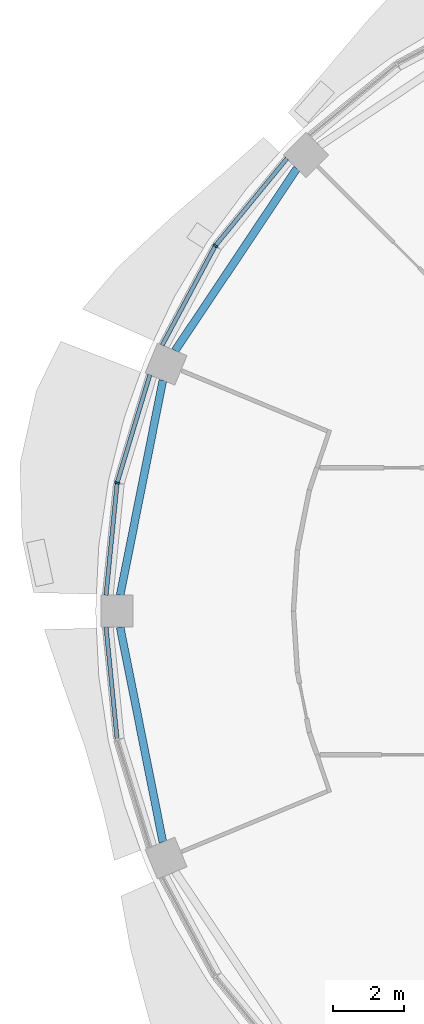
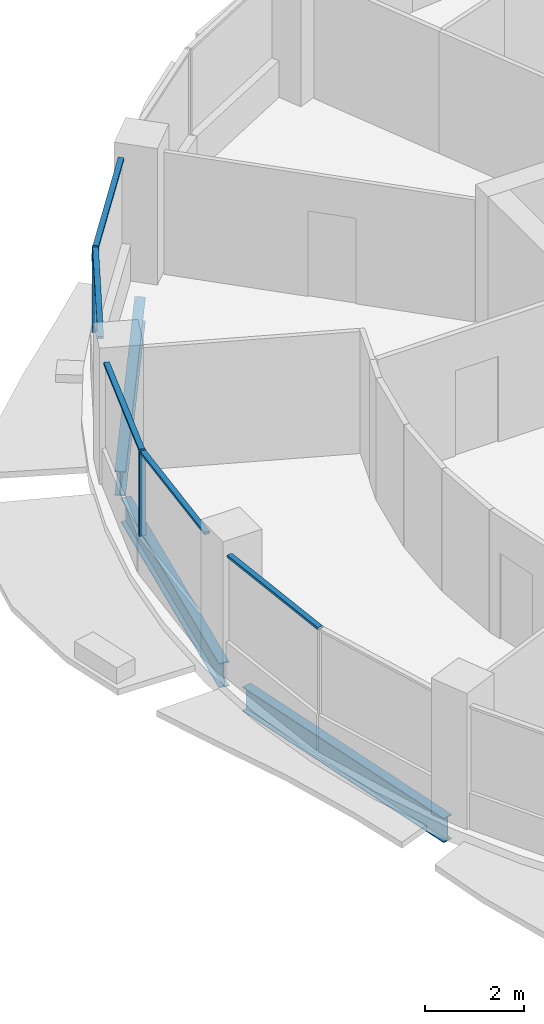
# One storey, part 4 of 15: 7 members, 3 beams, 3 elements without a shape of their own.
"""IFC4 building model written with IfcOpenShell, lengths in metres."""

import ifcopenshell
import ifcopenshell.guid

model = None  # the IFC model being written
_history = None  # IfcOwnerHistory: only IFC2X3 demands one
_inside = {}  # id of a spatial element -> (the spatial element, [elements in it])
_under = {}  # id of a project, library or spatial element -> (it, [spatial elements below it])
_declared = {}  # id of a project -> (the project, [libraries it declares])
_typed = {}  # id of a type object -> (the type object, [elements of that type])
_made_of = {}  # id of a material, layer set ... -> (it, [elements and type objects made of it])


def new_model(schema):
    """Start an empty IFC model of exactly this schema.

    Asked for "IFC4X3", IfcOpenShell would pick the latest addendum, in which some entities
    have other attributes; the version numbers below select the first issue.
    IFC2X3 requires an IfcOwnerHistory on every rooted entity: one is made here for all.
    """
    global model, _history
    if schema == "IFC4X3":
        model = ifcopenshell.file(schema_version=(4, 3, 0, 0))
    else:
        model = ifcopenshell.file(schema=schema)
    _inside.clear()
    _under.clear()
    _declared.clear()
    _typed.clear()
    _made_of.clear()
    _history = None
    if model.schema == "IFC2X3":
        org = make("IfcOrganization", Name="unknown")
        user = make(
            "IfcPersonAndOrganization",
            ThePerson=make("IfcPerson", FamilyName="unknown"),
            TheOrganization=org,
        )
        app = make(
            "IfcApplication",
            ApplicationDeveloper=org,
            Version="unknown",
            ApplicationFullName="unknown",
            ApplicationIdentifier="unknown",
        )
        _history = make(
            "IfcOwnerHistory",
            OwningUser=user,
            OwningApplication=app,
            ChangeAction="ADDED",
            CreationDate=0,
        )
    return model


def make(cls, **values):
    """One entity of the class cls with the attributes given. An attribute that is None is left unset."""
    return model.create_entity(
        cls, **{name: value for name, value in values.items() if value is not None}
    )


def rooted(cls, **values):
    """An entity with a GlobalId (a new one), such as an element, a storey or a relation."""
    return make(cls, GlobalId=ifcopenshell.guid.new(), OwnerHistory=_history, **values)


def si_unit(unit_type, name, prefix=None):
    """IfcSIUnit, for example si_unit("LENGTHUNIT", "METRE", prefix="MILLI")."""
    return make("IfcSIUnit", UnitType=unit_type, Prefix=prefix, Name=name)


def assignment(units):
    """IfcUnitAssignment: the units of a project."""
    return None if units is None else make("IfcUnitAssignment", Units=units)


def point(xyz):
    """IfcCartesianPoint."""
    return None if xyz is None else make("IfcCartesianPoint", Coordinates=xyz)


def direction(xyz):
    """IfcDirection."""
    return None if xyz is None else make("IfcDirection", DirectionRatios=xyz)


def frame(location, z_axis=None, x_axis=None):
    """IfcAxis2Placement3D, a coordinate frame: its origin and axes. An axis left out is left unset."""
    return make(
        "IfcAxis2Placement3D",
        Location=point(location),
        Axis=direction(z_axis),
        RefDirection=direction(x_axis),
    )


def frame_2d(location, x_axis=None):
    """IfcAxis2Placement2D, a coordinate frame in the plane: its origin and x axis."""
    return make(
        "IfcAxis2Placement2D", Location=point(location), RefDirection=direction(x_axis)
    )


def origin():
    """The frame at (0, 0, 0) with its axes left unset."""
    return frame((0.0, 0.0, 0.0))


def origin_2d():
    """The frame at (0, 0) in the plane with its x axis left unset."""
    return frame_2d((0.0, 0.0))


def place(relative_to, where):
    """IfcLocalPlacement: puts the frame where relative to a parent placement (None: the world)."""
    return make(
        "IfcLocalPlacement", PlacementRelTo=relative_to, RelativePlacement=where
    )


def context(
    kind, dimensions, precision=None, world=None, true_north=None, identifier=None
):
    """IfcGeometricRepresentationContext, for example the 3D "Model" context."""
    return make(
        "IfcGeometricRepresentationContext",
        ContextIdentifier=identifier,
        ContextType=kind,
        CoordinateSpaceDimension=dimensions,
        Precision=precision,
        WorldCoordinateSystem=world,
        TrueNorth=true_north,
    )


def subcontext(parent, identifier, kind, view, scale=None):
    """IfcGeometricRepresentationSubContext, for example "Body" below "Model"."""
    return make(
        "IfcGeometricRepresentationSubContext",
        ContextIdentifier=identifier,
        ContextType=kind,
        ParentContext=parent,
        TargetScale=scale,
        TargetView=view,
    )


def project(units=None, contexts=None):
    """IfcProject with its units and contexts."""
    return rooted(
        "IfcProject",
        Name="project",
        RepresentationContexts=contexts,
        UnitsInContext=assignment(units),
    )


def spatial(cls, under=None, at=None, **own):
    """A site, building, storey or space (cls), placed at a placement, below another one or the project."""
    s = rooted(cls, ObjectPlacement=at, **own)
    if under is not None:
        _under.setdefault(under.id(), (under, []))[1].append(s)
    return s


def profile(cls, at=None, kind="AREA", **sizes):
    """A parametric profile (cls). Its sizes go by their IFC names, for example OverallWidth=200.0."""
    return make(cls, ProfileType=kind, Position=at, **sizes)


def rectangle(**sizes):
    """IfcRectangleProfileDef."""
    return profile("IfcRectangleProfileDef", **sizes)


def i_section(**sizes):
    """IfcIShapeProfileDef."""
    return profile("IfcIShapeProfileDef", **sizes)


def extrude(swept, where, along, depth):
    """IfcExtrudedAreaSolid: the profile swept, set in the frame where, extruded along a direction by depth."""
    return make(
        "IfcExtrudedAreaSolid",
        SweptArea=swept,
        Position=where,
        ExtrudedDirection=direction(along),
        Depth=depth,
    )


def shape(context_of_items, identifier, shape_type, items):
    """IfcShapeRepresentation: the items that make up one representation, for example the "Body"."""
    return make(
        "IfcShapeRepresentation",
        ContextOfItems=context_of_items,
        RepresentationIdentifier=identifier,
        RepresentationType=shape_type,
        Items=items,
    )


def material(Name=None, Category=None):
    """IfcMaterial."""
    return make("IfcMaterial", Name=Name, Category=Category)


def material_profile(
    of_material, cross_section, Name=None, Category=None, Priority=None
):
    """IfcMaterialProfile: a cross section and its material."""
    return make(
        "IfcMaterialProfile",
        Name=Name,
        Material=of_material,
        Profile=cross_section,
        Priority=Priority,
        Category=Category,
    )


def profile_set(profiles, Name=None, composite=None):
    """IfcMaterialProfileSet."""
    return make(
        "IfcMaterialProfileSet",
        Name=Name,
        MaterialProfiles=profiles,
        CompositeProfile=composite,
    )


def made_of(thing, what):
    """Note that an element or type object is made of a material, layer set ...; save() writes the relation."""
    if what is not None:
        _made_of.setdefault(what.id(), (what, []))[1].append(thing)
    return thing


def type_object(cls, material=None, **own):
    """A type object (cls), such as IfcWallType, which elements share."""
    return made_of(rooted(cls, **own), material)


def element(
    cls,
    number,
    at=None,
    inside=None,
    cuts=None,
    type_object=None,
    material=None,
    context=None,
    identifier="Body",
    shape_type=None,
    held_by="IfcProductDefinitionShape",
    body=None,
    shapes=None,
    **own,
):
    """One element of the class cls, such as IfcWall. Its Tag is "e" and its number.

    at: its placement. inside: the storey or other place that contains it. cuts: it is an
    opening in that element (IfcRelVoidsElement). A single representation is given by context,
    identifier, shape_type and body (its items); several are given by shapes. held_by: the class
    of the entity that holds the representations. save() writes the other relations.
    """
    e = rooted(cls, Tag="e%d" % number, ObjectPlacement=at, **own)
    if body is not None:
        shapes = [shape(context, identifier, shape_type, body)]
    if shapes is not None:
        e.Representation = make(held_by, Representations=shapes)
    if inside is not None:
        _inside.setdefault(inside.id(), (inside, []))[1].append(e)
    if cuts is not None:
        rooted(
            "IfcRelVoidsElement", RelatingBuildingElement=cuts, RelatedOpeningElement=e
        )
    if type_object is not None:
        _typed.setdefault(type_object.id(), (type_object, []))[1].append(e)
    return made_of(e, material)


def aggregate(whole, parts):
    """IfcRelAggregates: a whole, such as a stair, and the parts it consists of."""
    return rooted("IfcRelAggregates", RelatingObject=whole, RelatedObjects=parts)


def save(model, path):
    """Write the relations noted so far, then the file.

    IfcRelAggregates (storeys below a building ...), IfcRelContainedInSpatialStructure (elements
    in a storey), IfcRelDefinesByType, IfcRelAssociatesMaterial and IfcRelDeclares: one each for
    every whole, place, type object, material and project.
    """
    for whole, parts in _under.values():
        aggregate(whole, parts)
    for where, things in _inside.values():
        rooted(
            "IfcRelContainedInSpatialStructure",
            RelatedElements=things,
            RelatingStructure=where,
        )
    for kind, things in _typed.values():
        rooted("IfcRelDefinesByType", RelatedObjects=things, RelatingType=kind)
    for what, things in _made_of.values():
        rooted("IfcRelAssociatesMaterial", RelatedObjects=things, RelatingMaterial=what)
    for by, libraries in _declared.values():
        rooted("IfcRelDeclares", RelatingContext=by, RelatedDefinitions=libraries)
    model.write(path)


model = new_model("IFC4")

# Units and contexts
model_context = context("Model", 3, precision=1e-05, world=origin(), true_north=direction((0.0, 1.0)))
body_context = subcontext(model_context, "Body", "Model", "MODEL_VIEW")
ifc_project = project(units=[si_unit("LENGTHUNIT", "METRE"), si_unit("AREAUNIT", "SQUARE_METRE"), si_unit("VOLUMEUNIT", "CUBIC_METRE"), si_unit("PLANEANGLEUNIT", "RADIAN"), si_unit("MASSUNIT", "GRAM", prefix="KILO")], contexts=[model_context])

# Site, building, storey
site_placement = place(None, origin())
site = spatial("IfcSite", under=ifc_project, at=site_placement, CompositionType="ELEMENT")
building_placement = place(site_placement, origin())
building = spatial("IfcBuilding", under=site, at=building_placement, Name="Polderwave Tower", CompositionType="ELEMENT")
storey_placement = place(building_placement, frame((0.0, 0.0, 170.89990234375)))
storey = spatial("IfcBuildingStorey", under=building, at=storey_placement, Name="L45", CompositionType="ELEMENT", Elevation=170.89990234375)

# Curtain wall, member
ifc_material_1 = material(Name="Aluminium 6063-T6 and glass", Category="aluminium")
curtain_wall_type = type_object("IfcCurtainWallType", Name="Office ribbon glazing wall", PredefinedType="NOTDEFINED", material=ifc_material_1)
curtain_wall_1_placement = place(storey_placement, origin())
curtain_wall_1 = element("IfcCurtainWall", 1, at=curtain_wall_1_placement, inside=storey, type_object=curtain_wall_type, Name="CW3 L45 06", PredefinedType="NOTDEFINED")
ifc_material_2 = material(Name="Aluminium 6063-T6", Category="aluminium")
ifc_material_profile_1 = material_profile(ifc_material_2, rectangle(XDim=0.139892578125, YDim=0.054931640625, at=origin_2d()), Name="AL 55x140")
ifc_profile_set_1 = profile_set([ifc_material_profile_1], Name="Aluminium 6063-T6")
member_type_1 = type_object("IfcMemberType", Name="Office ribbon glazing mullion 55x140", PredefinedType="MULLION", material=ifc_profile_set_1)
member_1_placement = place(storey_placement, frame((-15.341064453125, 10.25, 0.900146484375), z_axis=(0.0, 0.0, 1.0), x_axis=(0.831547176436, -0.555454132545, 0.0)))
member_1 = element("IfcMember", 2, at=member_1_placement, type_object=member_type_1, Name="CW3 mullion 1", PredefinedType="MULLION", context=body_context, shape_type="SweptSolid", body=[
    extrude(rectangle(XDim=0.139892578125, YDim=0.054931640625, at=origin_2d()), origin(), (0.0, 0.0, 1.0), 2.099853515625),
])

curtain_wall_2_placement = place(storey_placement, origin())
curtain_wall_2 = element("IfcCurtainWall", 3, at=curtain_wall_2_placement, inside=storey, type_object=curtain_wall_type, Name="CW3 L45 07", PredefinedType="NOTDEFINED")
member_2_placement = place(storey_placement, frame((-18.094970703125, 3.59912109375, 0.900146484375), z_axis=(0.0, 0.0, 1.0), x_axis=(0.980783918392, -0.195097169184, 0.0)))
member_2 = element("IfcMember", 4, at=member_2_placement, type_object=member_type_1, Name="CW3 mullion 1", PredefinedType="MULLION", context=body_context, shape_type="SweptSolid", body=[
    extrude(rectangle(XDim=0.139892578125, YDim=0.054931640625, at=origin_2d()), origin(), (0.0, 0.0, 1.0), 2.099853515625),
])

# Member
ifc_material_profile_2 = material_profile(ifc_material_2, rectangle(XDim=0.1201171875, YDim=0.06005859375, at=origin_2d()), Name="AL 60x120")
ifc_profile_set_2 = profile_set([ifc_material_profile_2], Name="Aluminium 6063-T6")
member_type_2 = type_object("IfcMemberType", Name="Office ribbon glazing transom 60x120", PredefinedType="USERDEFINED", material=ifc_profile_set_2)
member_3_placement = place(storey_placement, frame((-13.3330078125, 12.697021484375, 2.97021484375), z_axis=(-0.634334495686, -0.773058696079, 0.0), x_axis=(0.773058696079, -0.634334495686, 0.0)))
member_3 = element("IfcMember", 5, at=member_3_placement, type_object=member_type_2, Name="CW3 transom 1", ObjectType="TRANSOM", PredefinedType="USERDEFINED", context=body_context, shape_type="SweptSolid", body=[
    extrude(rectangle(XDim=0.1201171875, YDim=0.06005859375, at=origin_2d()), origin(), (0.0, 0.0, 1.0), 3.137939453125),
])

member_4_placement = place(storey_placement, frame((-15.35400390625, 10.2255859375, 2.97021484375), z_axis=(-0.471210255925, -0.882020915121, 0.0), x_axis=(0.882020915121, -0.471210255925, 0.0)))
member_4 = element("IfcMember", 6, at=member_4_placement, type_object=member_type_2, Name="CW3 transom 2", ObjectType="TRANSOM", PredefinedType="USERDEFINED", context=body_context, shape_type="SweptSolid", body=[
    extrude(rectangle(XDim=0.1201171875, YDim=0.06005859375, at=origin_2d()), origin(), (0.0, 0.0, 1.0), 3.13671875),
])

aggregate(curtain_wall_1, [member_1, member_3, member_4])

member_5_placement = place(storey_placement, frame((-17.177001953125, 6.6279296875, 2.97021484375), z_axis=(-0.29000955494, -0.957023749989, 0.0), x_axis=(0.957023749989, -0.29000955494, 0.0)))
member_5 = element("IfcMember", 7, at=member_5_placement, type_object=member_type_2, Name="CW3 transom 1", ObjectType="TRANSOM", PredefinedType="USERDEFINED", context=body_context, shape_type="SweptSolid", body=[
    extrude(rectangle(XDim=0.1201171875, YDim=0.06005859375, at=origin_2d()), origin(), (0.0, 0.0, 1.0), 3.137451171875),
])

member_6_placement = place(storey_placement, frame((-18.09765625, 3.571533203125, 2.97021484375), z_axis=(-0.098301492731, -0.995156679386, 0.0), x_axis=(0.995156679386, -0.098301492731, 0.0)))
member_6 = element("IfcMember", 8, at=member_6_placement, type_object=member_type_2, Name="CW3 transom 2", ObjectType="TRANSOM", PredefinedType="USERDEFINED", context=body_context, shape_type="SweptSolid", body=[
    extrude(rectangle(XDim=0.1201171875, YDim=0.06005859375, at=origin_2d()), origin(), (0.0, 0.0, 1.0), 3.13671875),
])

aggregate(curtain_wall_2, [member_2, member_5, member_6])

# Curtain wall, member
curtain_wall_3_placement = place(storey_placement, origin())
curtain_wall_3 = element("IfcCurtainWall", 9, at=curtain_wall_3_placement, inside=storey, type_object=curtain_wall_type, Name="CW3 L45 08", PredefinedType="NOTDEFINED")
member_7_placement = place(storey_placement, frame((-18.406005859375, -0.449951171875, 2.97021484375), z_axis=(0.098301492731, -0.995156679386, 0.0), x_axis=(0.995156679386, 0.098301492731, 0.0)))
member_7 = element("IfcMember", 10, at=member_7_placement, type_object=member_type_2, Name="CW3 transom 1", ObjectType="TRANSOM", PredefinedType="USERDEFINED", context=body_context, shape_type="SweptSolid", body=[
    extrude(rectangle(XDim=0.1201171875, YDim=0.06005859375, at=origin_2d()), origin(), (0.0, 0.0, 1.0), 3.13671875),
])
aggregate(curtain_wall_3, [member_7])

# Beams
ifc_material_3 = material(Name="Steel S355", Category="steel")
ifc_material_profile_3 = material_profile(ifc_material_3, i_section(OverallWidth=0.219970703125, OverallDepth=0.60009765625, WebThickness=0.011962890625, FlangeThickness=0.01904296875, at=origin_2d()), Name="IPE 600")
ifc_profile_set_3 = profile_set([ifc_material_profile_3], Name="Steel S355")
beam_type = type_object("IfcBeamType", Name="RING BEAM IPE 600", PredefinedType="BEAM", material=ifc_profile_set_3)
for number, where, z_axis, x_axis, name in (
    (11, (-13.053466796875, 12.417236328125, -0.64990234375), (-0.555570937424, -0.831469141634, 0.0), (0.831469141634, -0.555570937424, 0.0), "ST-RB-L45-06"),
    (12, (-16.811767578125, 6.4765625, -0.64990234375), (-0.195084520666, -0.980786434346, 0.0), (0.980786434346, -0.195084520666, 0.0), "ST-RB-L45-07"),
    (13, (-18.010498046875, -0.449951171875, -0.64990234375), (0.195084520666, -0.980786434346, 0.0), (0.980786434346, 0.195084520666, 0.0), "ST-RB-L45-08"),
):
    element("IfcBeam", number, at=place(storey_placement, frame(where, z_axis=z_axis, x_axis=x_axis)), inside=storey, type_object=beam_type, Name=name, PredefinedType="BEAM", context=body_context, shape_type="SweptSolid", body=[
        extrude(i_section(OverallWidth=0.219970703125, OverallDepth=0.60009765625, WebThickness=0.011962890625, FlangeThickness=0.01904296875, at=origin_2d()), origin(), (0.0, 0.0, 1.0), 6.144775390625),
    ])

save(model, "model.ifc")
